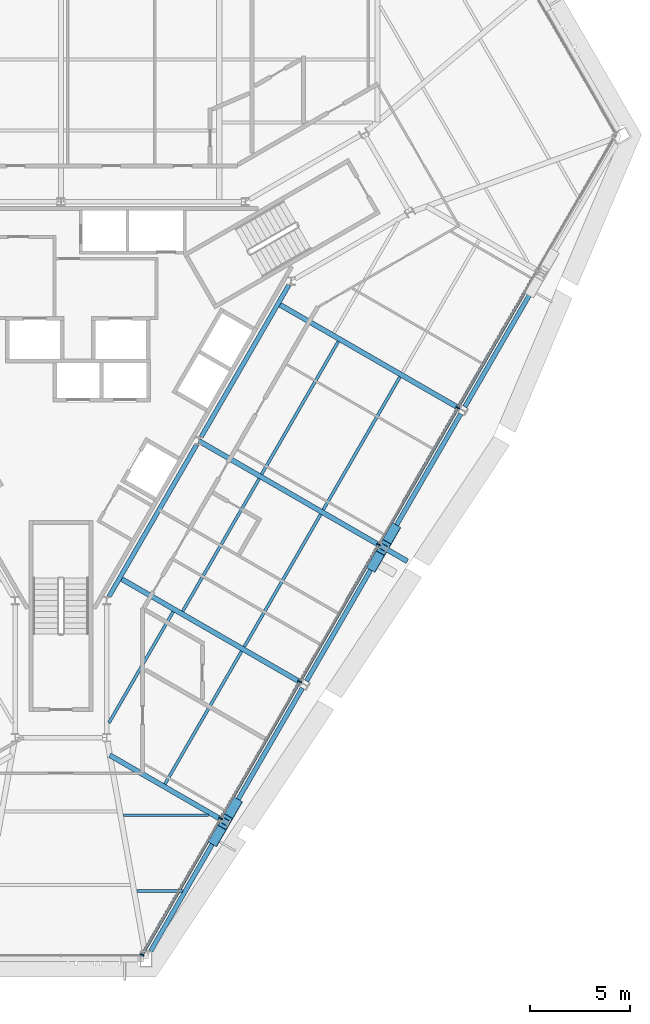
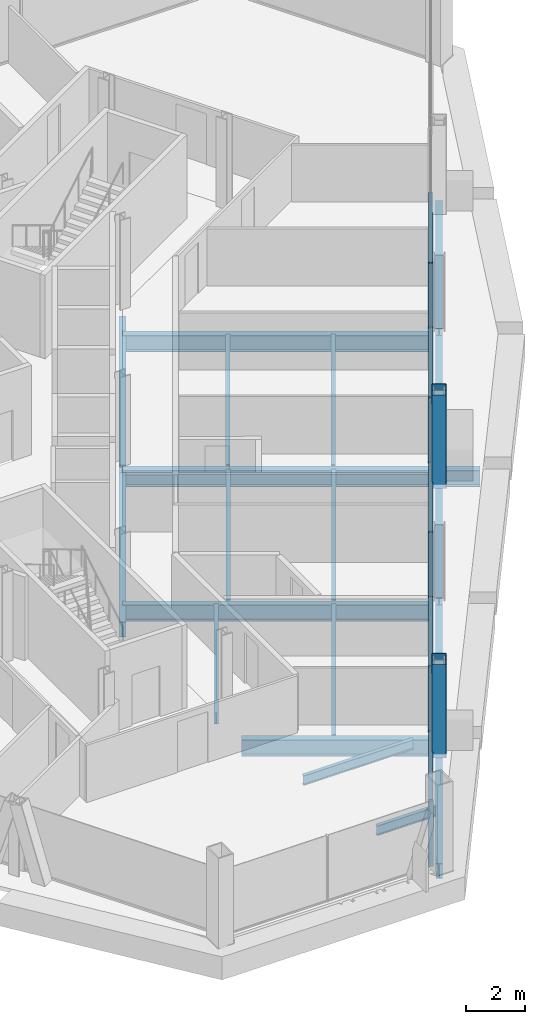
# One storey, part 5 of 14: 20 beams, 14 members, 1 element without a shape of its own.
"""IFC4 building model written with IfcOpenShell, lengths in metres."""

import ifcopenshell
import ifcopenshell.guid

model = None  # the IFC model being written
_history = None  # IfcOwnerHistory: only IFC2X3 demands one
_inside = {}  # id of a spatial element -> (the spatial element, [elements in it])
_under = {}  # id of a project, library or spatial element -> (it, [spatial elements below it])
_declared = {}  # id of a project -> (the project, [libraries it declares])
_typed = {}  # id of a type object -> (the type object, [elements of that type])
_made_of = {}  # id of a material, layer set ... -> (it, [elements and type objects made of it])


def new_model(schema):
    """Start an empty IFC model of exactly this schema.

    Asked for "IFC4X3", IfcOpenShell would pick the latest addendum, in which some entities
    have other attributes; the version numbers below select the first issue.
    IFC2X3 requires an IfcOwnerHistory on every rooted entity: one is made here for all.
    """
    global model, _history
    if schema == "IFC4X3":
        model = ifcopenshell.file(schema_version=(4, 3, 0, 0))
    else:
        model = ifcopenshell.file(schema=schema)
    _inside.clear()
    _under.clear()
    _declared.clear()
    _typed.clear()
    _made_of.clear()
    _history = None
    if model.schema == "IFC2X3":
        org = make("IfcOrganization", Name="unknown")
        user = make(
            "IfcPersonAndOrganization",
            ThePerson=make("IfcPerson", FamilyName="unknown"),
            TheOrganization=org,
        )
        app = make(
            "IfcApplication",
            ApplicationDeveloper=org,
            Version="unknown",
            ApplicationFullName="unknown",
            ApplicationIdentifier="unknown",
        )
        _history = make(
            "IfcOwnerHistory",
            OwningUser=user,
            OwningApplication=app,
            ChangeAction="ADDED",
            CreationDate=0,
        )
    return model


def make(cls, **values):
    """One entity of the class cls with the attributes given. An attribute that is None is left unset."""
    return model.create_entity(
        cls, **{name: value for name, value in values.items() if value is not None}
    )


def rooted(cls, **values):
    """An entity with a GlobalId (a new one), such as an element, a storey or a relation."""
    return make(cls, GlobalId=ifcopenshell.guid.new(), OwnerHistory=_history, **values)


def si_unit(unit_type, name, prefix=None):
    """IfcSIUnit, for example si_unit("LENGTHUNIT", "METRE", prefix="MILLI")."""
    return make("IfcSIUnit", UnitType=unit_type, Prefix=prefix, Name=name)


def assignment(units):
    """IfcUnitAssignment: the units of a project."""
    return None if units is None else make("IfcUnitAssignment", Units=units)


def point(xyz):
    """IfcCartesianPoint."""
    return None if xyz is None else make("IfcCartesianPoint", Coordinates=xyz)


def direction(xyz):
    """IfcDirection."""
    return None if xyz is None else make("IfcDirection", DirectionRatios=xyz)


def frame(location, z_axis=None, x_axis=None):
    """IfcAxis2Placement3D, a coordinate frame: its origin and axes. An axis left out is left unset."""
    return make(
        "IfcAxis2Placement3D",
        Location=point(location),
        Axis=direction(z_axis),
        RefDirection=direction(x_axis),
    )


def frame_2d(location, x_axis=None):
    """IfcAxis2Placement2D, a coordinate frame in the plane: its origin and x axis."""
    return make(
        "IfcAxis2Placement2D", Location=point(location), RefDirection=direction(x_axis)
    )


def origin():
    """The frame at (0, 0, 0) with its axes left unset."""
    return frame((0.0, 0.0, 0.0))


def origin_2d():
    """The frame at (0, 0) in the plane with its x axis left unset."""
    return frame_2d((0.0, 0.0))


def place(relative_to, where):
    """IfcLocalPlacement: puts the frame where relative to a parent placement (None: the world)."""
    return make(
        "IfcLocalPlacement", PlacementRelTo=relative_to, RelativePlacement=where
    )


def context(
    kind, dimensions, precision=None, world=None, true_north=None, identifier=None
):
    """IfcGeometricRepresentationContext, for example the 3D "Model" context."""
    return make(
        "IfcGeometricRepresentationContext",
        ContextIdentifier=identifier,
        ContextType=kind,
        CoordinateSpaceDimension=dimensions,
        Precision=precision,
        WorldCoordinateSystem=world,
        TrueNorth=true_north,
    )


def subcontext(parent, identifier, kind, view, scale=None):
    """IfcGeometricRepresentationSubContext, for example "Body" below "Model"."""
    return make(
        "IfcGeometricRepresentationSubContext",
        ContextIdentifier=identifier,
        ContextType=kind,
        ParentContext=parent,
        TargetScale=scale,
        TargetView=view,
    )


def project(units=None, contexts=None):
    """IfcProject with its units and contexts."""
    return rooted(
        "IfcProject",
        Name="project",
        RepresentationContexts=contexts,
        UnitsInContext=assignment(units),
    )


def spatial(cls, under=None, at=None, **own):
    """A site, building, storey or space (cls), placed at a placement, below another one or the project."""
    s = rooted(cls, ObjectPlacement=at, **own)
    if under is not None:
        _under.setdefault(under.id(), (under, []))[1].append(s)
    return s


def profile(cls, at=None, kind="AREA", **sizes):
    """A parametric profile (cls). Its sizes go by their IFC names, for example OverallWidth=200.0."""
    return make(cls, ProfileType=kind, Position=at, **sizes)


def rectangle(**sizes):
    """IfcRectangleProfileDef."""
    return profile("IfcRectangleProfileDef", **sizes)


def hollow_rectangle(**sizes):
    """IfcRectangleHollowProfileDef."""
    return profile("IfcRectangleHollowProfileDef", **sizes)


def i_section(**sizes):
    """IfcIShapeProfileDef."""
    return profile("IfcIShapeProfileDef", **sizes)


def extrude(swept, where, along, depth):
    """IfcExtrudedAreaSolid: the profile swept, set in the frame where, extruded along a direction by depth."""
    return make(
        "IfcExtrudedAreaSolid",
        SweptArea=swept,
        Position=where,
        ExtrudedDirection=direction(along),
        Depth=depth,
    )


def shape(context_of_items, identifier, shape_type, items):
    """IfcShapeRepresentation: the items that make up one representation, for example the "Body"."""
    return make(
        "IfcShapeRepresentation",
        ContextOfItems=context_of_items,
        RepresentationIdentifier=identifier,
        RepresentationType=shape_type,
        Items=items,
    )


def material(Name=None, Category=None):
    """IfcMaterial."""
    return make("IfcMaterial", Name=Name, Category=Category)


def material_profile(
    of_material, cross_section, Name=None, Category=None, Priority=None
):
    """IfcMaterialProfile: a cross section and its material."""
    return make(
        "IfcMaterialProfile",
        Name=Name,
        Material=of_material,
        Profile=cross_section,
        Priority=Priority,
        Category=Category,
    )


def profile_set(profiles, Name=None, composite=None):
    """IfcMaterialProfileSet."""
    return make(
        "IfcMaterialProfileSet",
        Name=Name,
        MaterialProfiles=profiles,
        CompositeProfile=composite,
    )


def made_of(thing, what):
    """Note that an element or type object is made of a material, layer set ...; save() writes the relation."""
    if what is not None:
        _made_of.setdefault(what.id(), (what, []))[1].append(thing)
    return thing


def type_object(cls, material=None, **own):
    """A type object (cls), such as IfcWallType, which elements share."""
    return made_of(rooted(cls, **own), material)


def element(
    cls,
    number,
    at=None,
    inside=None,
    cuts=None,
    type_object=None,
    material=None,
    context=None,
    identifier="Body",
    shape_type=None,
    held_by="IfcProductDefinitionShape",
    body=None,
    shapes=None,
    **own,
):
    """One element of the class cls, such as IfcWall. Its Tag is "e" and its number.

    at: its placement. inside: the storey or other place that contains it. cuts: it is an
    opening in that element (IfcRelVoidsElement). A single representation is given by context,
    identifier, shape_type and body (its items); several are given by shapes. held_by: the class
    of the entity that holds the representations. save() writes the other relations.
    """
    e = rooted(cls, Tag="e%d" % number, ObjectPlacement=at, **own)
    if body is not None:
        shapes = [shape(context, identifier, shape_type, body)]
    if shapes is not None:
        e.Representation = make(held_by, Representations=shapes)
    if inside is not None:
        _inside.setdefault(inside.id(), (inside, []))[1].append(e)
    if cuts is not None:
        rooted(
            "IfcRelVoidsElement", RelatingBuildingElement=cuts, RelatedOpeningElement=e
        )
    if type_object is not None:
        _typed.setdefault(type_object.id(), (type_object, []))[1].append(e)
    return made_of(e, material)


def aggregate(whole, parts):
    """IfcRelAggregates: a whole, such as a stair, and the parts it consists of."""
    return rooted("IfcRelAggregates", RelatingObject=whole, RelatedObjects=parts)


def save(model, path):
    """Write the relations noted so far, then the file.

    IfcRelAggregates (storeys below a building ...), IfcRelContainedInSpatialStructure (elements
    in a storey), IfcRelDefinesByType, IfcRelAssociatesMaterial and IfcRelDeclares: one each for
    every whole, place, type object, material and project.
    """
    for whole, parts in _under.values():
        aggregate(whole, parts)
    for where, things in _inside.values():
        rooted(
            "IfcRelContainedInSpatialStructure",
            RelatedElements=things,
            RelatingStructure=where,
        )
    for kind, things in _typed.values():
        rooted("IfcRelDefinesByType", RelatedObjects=things, RelatingType=kind)
    for what, things in _made_of.values():
        rooted("IfcRelAssociatesMaterial", RelatedObjects=things, RelatingMaterial=what)
    for by, libraries in _declared.values():
        rooted("IfcRelDeclares", RelatingContext=by, RelatedDefinitions=libraries)
    model.write(path)


model = new_model("IFC4")

# Units and contexts
model_context = context("Model", 3, precision=1e-05, world=origin(), true_north=direction((0.0, 1.0)))
body_context = subcontext(model_context, "Body", "Model", "MODEL_VIEW")
ifc_project = project(units=[si_unit("LENGTHUNIT", "METRE"), si_unit("AREAUNIT", "SQUARE_METRE"), si_unit("VOLUMEUNIT", "CUBIC_METRE"), si_unit("PLANEANGLEUNIT", "RADIAN"), si_unit("MASSUNIT", "GRAM", prefix="KILO")], contexts=[model_context])

# Site, building, storey
site_placement = place(None, origin())
site = spatial("IfcSite", under=ifc_project, at=site_placement, CompositionType="ELEMENT")
building_placement = place(site_placement, origin())
building = spatial("IfcBuilding", under=site, at=building_placement, Name="Verrane Prism Tower", CompositionType="ELEMENT")
storey_placement = place(building_placement, frame((0.0, 0.0, 196.89990234375)))
storey = spatial("IfcBuildingStorey", under=building, at=storey_placement, Name="L49", CompositionType="ELEMENT", Elevation=196.89990234375)

# Beams
ifc_material_1 = material(Name="Steel A992", Category="steel")
ifc_material_profile_1 = material_profile(ifc_material_1, i_section(OverallWidth=0.23046875, OverallDepth=0.6171875, WebThickness=0.01318359375, FlangeThickness=0.022216796875, FilletRadius=0.012939453125, at=origin_2d()), Name="W24x94")
ifc_profile_set_1 = profile_set([ifc_material_profile_1], Name="Steel A992")
beam_type_1 = type_object("IfcBeamType", Name="Core ring girder W24x94", PredefinedType="BEAM", material=ifc_profile_set_1)
beam_1_placement = place(storey_placement, frame((2.4150390625, -11.820556640625, -0.55859375), z_axis=(0.499988222896, 0.866032203192, 0.0), x_axis=(-0.866032203192, 0.499988222896, 0.0)))
element("IfcBeam", 1, at=beam_1_placement, inside=storey, type_object=beam_type_1, Name="Core ring girder L49", PredefinedType="BEAM", context=body_context, shape_type="SweptSolid", body=[
    extrude(i_section(OverallWidth=0.23046875, OverallDepth=0.6171875, WebThickness=0.01318359375, FlangeThickness=0.022216796875, FilletRadius=0.012939453125, at=origin_2d()), origin(), (0.0, 0.0, 1.0), 8.800048828125),
])
beam_2_placement = place(storey_placement, frame((7.045166015625, -3.800537109375, -0.55859375), z_axis=(0.499967414725, 0.866044216084, 0.0), x_axis=(-0.866044216084, 0.499967414725, 0.0)))
element("IfcBeam", 2, at=beam_2_placement, inside=storey, type_object=beam_type_1, Name="Core ring girder L49", PredefinedType="BEAM", context=body_context, shape_type="SweptSolid", body=[
    extrude(i_section(OverallWidth=0.23046875, OverallDepth=0.6171875, WebThickness=0.01318359375, FlangeThickness=0.022216796875, FilletRadius=0.012939453125, at=origin_2d()), origin(), (0.0, 0.0, 1.0), 8.7998046875),
])

# Members
ifc_material_2 = material(Name="Steel A500 Grade C", Category="steel")
ifc_material_profile_2 = material_profile(ifc_material_2, hollow_rectangle(XDim=0.508056640625, YDim=0.508056640625, WallThickness=0.01904296875, InnerFilletRadius=0.009521484375, OuterFilletRadius=0.028564453125, at=origin_2d()), Name="HSS20x20x3/4")
ifc_profile_set_2 = profile_set([ifc_material_profile_2], Name="Steel A500 Grade C")
member_type_1 = type_object("IfcMemberType", Name="Facade brace HSS20x20x3/4", PredefinedType="BRACE", material=ifc_profile_set_2)
member_1_placement = place(storey_placement, frame((7.72119140625, -24.048095703125, -0.216552734375), z_axis=(0.145222569285, 0.251900220028, 0.95679500653), x_axis=(-0.866341082047, 0.499452830163, 0.0)))
element("IfcMember", 3, at=member_1_placement, inside=storey, type_object=member_type_1, Name="Facade brace SE0 L49", PredefinedType="BRACE", context=body_context, shape_type="SweptSolid", body=[
    extrude(hollow_rectangle(XDim=0.508056640625, YDim=0.508056640625, WallThickness=0.01904296875, InnerFilletRadius=0.009521484375, OuterFilletRadius=0.028564453125, at=origin_2d()), origin(), (0.0, 0.0, 1.0), 3.3251953125),
])
member_2_placement = place(storey_placement, frame((8.780517578125, -22.2119140625, -0.216552734375), z_axis=(-0.145105624337, -0.251217783834, 0.956992154028), x_axis=(0.865928416946, -0.500167948519, 0.0)))
element("IfcMember", 4, at=member_2_placement, inside=storey, type_object=member_type_1, Name="Facade brace SE1 L49", PredefinedType="BRACE", context=body_context, shape_type="SweptSolid", body=[
    extrude(hollow_rectangle(XDim=0.508056640625, YDim=0.508056640625, WallThickness=0.01904296875, InnerFilletRadius=0.009521484375, OuterFilletRadius=0.028564453125, at=origin_2d()), origin(), (0.0, 0.0, 1.0), 3.32470703125),
])
member_3_placement = place(storey_placement, frame((15.671142578125, -10.2763671875, -0.216552734375), z_axis=(0.145778572532, 0.252359885381, 0.956589303746), x_axis=(-0.865908710228, 0.500202064721, 0.0)))
element("IfcMember", 5, at=member_3_placement, inside=storey, type_object=member_type_1, Name="Facade brace SE2 L49", PredefinedType="BRACE", context=body_context, shape_type="SweptSolid", body=[
    extrude(hollow_rectangle(XDim=0.508056640625, YDim=0.508056640625, WallThickness=0.01904296875, InnerFilletRadius=0.009521484375, OuterFilletRadius=0.028564453125, at=origin_2d()), origin(), (0.0, 0.0, 1.0), 3.325927734375),
])
member_4_placement = place(storey_placement, frame((16.73046875, -8.441650390625, -0.216552734375), z_axis=(-0.144493138728, -0.250347034462, 0.957312955724), x_axis=(0.866092491567, -0.499883782545, 0.0)))
element("IfcMember", 6, at=member_4_placement, inside=storey, type_object=member_type_1, Name="Facade brace SE3 L49", PredefinedType="BRACE", context=body_context, shape_type="SweptSolid", body=[
    extrude(hollow_rectangle(XDim=0.508056640625, YDim=0.508056640625, WallThickness=0.01904296875, InnerFilletRadius=0.009521484375, OuterFilletRadius=0.028564453125, at=origin_2d()), origin(), (0.0, 0.0, 1.0), 3.323486328125),
])

# Beams
ifc_material_3 = material(Name="Steel A992", Category="steel")
ifc_material_profile_3 = material_profile(ifc_material_3, i_section(OverallWidth=0.140380859375, OverallDepth=0.40380859375, WebThickness=0.007080078125, FlangeThickness=0.01123046875, FilletRadius=0.01025390625, at=origin_2d()), Name="W16x31")
ifc_profile_set_3 = profile_set([ifc_material_profile_3], Name="Steel A992")
beam_type_2 = type_object("IfcBeamType", Name="Floor beam W16x31", PredefinedType="BEAM", material=ifc_profile_set_3)
beam_3_placement = place(storey_placement, frame((3.808837890625, -26.603271484375, -0.36181640625), z_axis=(1.0, 0.0, 0.0), x_axis=(0.0, 1.0, 0.0)))
element("IfcBeam", 7, at=beam_3_placement, inside=storey, type_object=beam_type_2, Name="Floor beam L49", PredefinedType="BEAM", context=body_context, shape_type="SweptSolid", body=[
    extrude(i_section(OverallWidth=0.140380859375, OverallDepth=0.40380859375, WebThickness=0.007080078125, FlangeThickness=0.01123046875, FilletRadius=0.01025390625, at=origin_2d()), origin(), (0.0, 0.0, 1.0), 2.30419921875),
])
beam_4_placement = place(storey_placement, frame((3.131103515625, -22.796630859375, -0.36181640625), z_axis=(1.0, 0.0, 0.0), x_axis=(0.0, 1.0, 0.0)))
element("IfcBeam", 8, at=beam_4_placement, inside=storey, type_object=beam_type_2, Name="Floor beam L49", PredefinedType="BEAM", context=body_context, shape_type="SweptSolid", body=[
    extrude(i_section(OverallWidth=0.140380859375, OverallDepth=0.40380859375, WebThickness=0.007080078125, FlangeThickness=0.01123046875, FilletRadius=0.01025390625, at=origin_2d()), origin(), (0.0, 0.0, 1.0), 4.287109375),
])
ifc_material_4 = material(Name="Steel A992", Category="steel")
ifc_material_profile_4 = material_profile(ifc_material_4, i_section(OverallWidth=0.15234375, OverallDepth=0.449462890625, WebThickness=0.007568359375, FlangeThickness=0.0107421875, FilletRadius=0.01025390625, at=origin_2d()), Name="W18x35")
ifc_profile_set_4 = profile_set([ifc_material_profile_4], Name="Steel A992")
beam_type_3 = type_object("IfcBeamType", Name="Floor beam W18x35", PredefinedType="BEAM", material=ifc_profile_set_4)
beam_5_placement = place(storey_placement, frame((5.222900390625, -21.237060546875, -0.384765625), z_axis=(0.500007761655, 0.866020922544, 0.0), x_axis=(-0.866020922544, 0.500007761655, 0.0)))
element("IfcBeam", 9, at=beam_5_placement, inside=storey, type_object=beam_type_3, Name="Floor beam L49", PredefinedType="BEAM", context=body_context, shape_type="SweptSolid", body=[
    extrude(i_section(OverallWidth=0.15234375, OverallDepth=0.449462890625, WebThickness=0.007568359375, FlangeThickness=0.0107421875, FilletRadius=0.01025390625, at=origin_2d()), origin(), (0.0, 0.0, 1.0), 7.70361328125),
])
beam_6_placement = place(storey_placement, frame((2.4150390625, -18.16064453125, -0.384765625), z_axis=(0.499994722028, 0.866028451001, 0.0), x_axis=(-0.866028451001, 0.499994722028, 0.0)))
element("IfcBeam", 10, at=beam_6_placement, inside=storey, type_object=beam_type_3, Name="Floor beam L49", PredefinedType="BEAM", context=body_context, shape_type="SweptSolid", body=[
    extrude(i_section(OverallWidth=0.15234375, OverallDepth=0.449462890625, WebThickness=0.007568359375, FlangeThickness=0.0107421875, FilletRadius=0.01025390625, at=origin_2d()), origin(), (0.0, 0.0, 1.0), 6.4423828125),
])
for number, where, z_axis, x_axis, name in (
    (11, (9.202880859375, -14.346435546875, -0.384765625), (0.500004621041, 0.866022735809, 0.0), (-0.866022735809, 0.500004621041, 0.0), "Floor beam L49"),
    (12, (6.1123046875, -12.562744140625, -0.384765625), (0.500004621041, 0.866022735809, 0.0), (-0.866022735809, 0.500004621041, 0.0), "Floor beam L49"),
):
    element("IfcBeam", number, at=place(storey_placement, frame(where, z_axis=z_axis, x_axis=x_axis)), inside=storey, type_object=beam_type_3, Name=name, PredefinedType="BEAM", context=body_context, shape_type="SweptSolid", body=[
        extrude(i_section(OverallWidth=0.15234375, OverallDepth=0.449462890625, WebThickness=0.007568359375, FlangeThickness=0.0107421875, FilletRadius=0.01025390625, at=origin_2d()), origin(), (0.0, 0.0, 1.0), 7.689453125),
    ])
beam_7_placement = place(storey_placement, frame((13.171142578125, -7.46533203125, -0.384765625), z_axis=(0.499990362368, 0.866030968003, 0.0), x_axis=(-0.866030968003, 0.499990362368, 0.0)))
element("IfcBeam", 13, at=beam_7_placement, inside=storey, type_object=beam_type_3, Name="Floor beam L49", PredefinedType="BEAM", context=body_context, shape_type="SweptSolid", body=[
    extrude(i_section(OverallWidth=0.15234375, OverallDepth=0.449462890625, WebThickness=0.007568359375, FlangeThickness=0.0107421875, FilletRadius=0.01025390625, at=origin_2d()), origin(), (0.0, 0.0, 1.0), 7.704345703125),
])
beam_8_placement = place(storey_placement, frame((10.0771484375, -5.6796875, -0.384765625), z_axis=(0.499983011228, 0.866035212034, 0.0), x_axis=(-0.866035212034, 0.499983011228, 0.0)))
element("IfcBeam", 14, at=beam_8_placement, inside=storey, type_object=beam_type_3, Name="Floor beam L49", PredefinedType="BEAM", context=body_context, shape_type="SweptSolid", body=[
    extrude(i_section(OverallWidth=0.15234375, OverallDepth=0.449462890625, WebThickness=0.007568359375, FlangeThickness=0.0107421875, FilletRadius=0.01025390625, at=origin_2d()), origin(), (0.0, 0.0, 1.0), 7.705322265625),
])

# Curtain wall, members
ifc_material_5 = material(Name="Aluminium framed insulated glazing", Category="aluminium")
curtain_wall_type = type_object("IfcCurtainWallType", Name="Curtain wall CW-A 8400 module", PredefinedType="NOTDEFINED", material=ifc_material_5)
curtain_wall_placement = place(storey_placement, origin())
curtain_wall = element("IfcCurtainWall", 15, at=curtain_wall_placement, inside=storey, type_object=curtain_wall_type, Name="Glazed curtain wall south-east face L49", PredefinedType="NOTDEFINED")
ifc_material_6 = material(Name="Aluminium alloy 6063-T6", Category="aluminium")
ifc_material_profile_5 = material_profile(ifc_material_6, rectangle(XDim=0.199951171875, YDim=0.070068359375, at=origin_2d()), Name="Mullion 70x200 aluminium")
ifc_profile_set_5 = profile_set([ifc_material_profile_5], Name="Aluminium alloy 6063-T6")
member_type_2 = type_object("IfcMemberType", Name="Mullion 70x200 aluminium", PredefinedType="MULLION", material=ifc_profile_set_5)
member_5_placement = place(storey_placement, frame((4.07275390625, -29.807861328125, 0.0), z_axis=(0.0, 0.0, 1.0), x_axis=(-0.866025652206, 0.499999569721, 0.0)))
member_5 = element("IfcMember", 16, at=member_5_placement, type_object=member_type_2, Name="CW47.6 mullion 1", PredefinedType="MULLION", context=body_context, shape_type="SweptSolid", body=[
    extrude(rectangle(XDim=0.199951171875, YDim=0.070068359375, at=origin_2d()), origin(), (0.0, 0.0, 1.0), 2.712890625),
])
member_6_placement = place(storey_placement, frame((8.024169921875, -22.9638671875, 0.0), z_axis=(0.0, 0.0, 1.0), x_axis=(-0.866025652206, 0.499999569721, 0.0)))
member_6 = element("IfcMember", 17, at=member_6_placement, type_object=member_type_2, Name="CW47.6 mullion 2", PredefinedType="MULLION", context=body_context, shape_type="SweptSolid", body=[
    extrude(rectangle(XDim=0.199951171875, YDim=0.070068359375, at=origin_2d()), origin(), (0.0, 0.0, 1.0), 2.712890625),
])
member_7_placement = place(storey_placement, frame((11.992919921875, -16.089599609375, 0.0), z_axis=(0.0, 0.0, 1.0), x_axis=(-0.866025652206, 0.499999569721, 0.0)))
member_7 = element("IfcMember", 18, at=member_7_placement, type_object=member_type_2, Name="CW47.6 mullion 3", PredefinedType="MULLION", context=body_context, shape_type="SweptSolid", body=[
    extrude(rectangle(XDim=0.199951171875, YDim=0.070068359375, at=origin_2d()), origin(), (0.0, 0.0, 1.0), 2.712890625),
])
member_8_placement = place(storey_placement, frame((15.961669921875, -9.215576171875, 0.0), z_axis=(0.0, 0.0, 1.0), x_axis=(-0.866025652206, 0.499999569721, 0.0)))
member_8 = element("IfcMember", 19, at=member_8_placement, type_object=member_type_2, Name="CW47.6 mullion 4", PredefinedType="MULLION", context=body_context, shape_type="SweptSolid", body=[
    extrude(rectangle(XDim=0.199951171875, YDim=0.070068359375, at=origin_2d()), origin(), (0.0, 0.0, 1.0), 2.712890625),
])
member_9_placement = place(storey_placement, frame((19.9306640625, -2.34130859375, 0.0), z_axis=(0.0, 0.0, 1.0), x_axis=(-0.866025652206, 0.499999569721, 0.0)))
member_9 = element("IfcMember", 20, at=member_9_placement, type_object=member_type_2, Name="CW47.6 mullion 5", PredefinedType="MULLION", context=body_context, shape_type="SweptSolid", body=[
    extrude(rectangle(XDim=0.199951171875, YDim=0.070068359375, at=origin_2d()), origin(), (0.0, 0.0, 1.0), 2.712890625),
])

# Beams
ifc_material_7 = material(Name="Steel A992", Category="steel")
ifc_material_profile_6 = material_profile(ifc_material_7, i_section(OverallWidth=0.25390625, OverallDepth=0.683349609375, WebThickness=0.012451171875, FlangeThickness=0.01904296875, FilletRadius=0.01513671875, at=origin_2d()), Name="W27x94")
ifc_profile_set_6 = profile_set([ifc_material_profile_6], Name="Steel A992")
beam_type_4 = type_object("IfcBeamType", Name="Radial girder W27x94", PredefinedType="BEAM", material=ifc_profile_set_6)
beam_9_placement = place(storey_placement, frame((8.069580078125, -23.02587890625, -0.5615234375), z_axis=(-0.866024967991, 0.500000754816, 0.0), x_axis=(-0.500000754816, -0.866024967991, 0.0)))
element("IfcBeam", 21, at=beam_9_placement, inside=storey, type_object=beam_type_4, Name="Radial girder L49", PredefinedType="BEAM", context=body_context, shape_type="SweptSolid", body=[
    extrude(i_section(OverallWidth=0.25390625, OverallDepth=0.683349609375, WebThickness=0.012451171875, FlangeThickness=0.01904296875, FilletRadius=0.01513671875, at=origin_2d()), origin(), (0.0, 0.0, 1.0), 6.47998046875),
])
beam_10_placement = place(storey_placement, frame((12.049560546875, -16.135986328125, -0.5615234375), z_axis=(-0.866024144196, 0.500002181665, 0.0), x_axis=(-0.500002181665, -0.866024144196, 0.0)))
element("IfcBeam", 22, at=beam_10_placement, inside=storey, type_object=beam_type_4, Name="Radial girder L49", PredefinedType="BEAM", context=body_context, shape_type="SweptSolid", body=[
    extrude(i_section(OverallWidth=0.25390625, OverallDepth=0.683349609375, WebThickness=0.012451171875, FlangeThickness=0.01904296875, FilletRadius=0.01513671875, at=origin_2d()), origin(), (0.0, 0.0, 1.0), 10.50146484375),
])
beam_11_placement = place(storey_placement, frame((16.01953125, -9.255859375, -0.5615234375), z_axis=(-0.866029539658, 0.499992836388, 0.0), x_axis=(-0.499992836388, -0.866029539658, 0.0)))
element("IfcBeam", 23, at=beam_11_placement, inside=storey, type_object=beam_type_4, Name="Radial girder L49", PredefinedType="BEAM", context=body_context, shape_type="SweptSolid", body=[
    extrude(i_section(OverallWidth=0.25390625, OverallDepth=0.683349609375, WebThickness=0.012451171875, FlangeThickness=0.01904296875, FilletRadius=0.01513671875, at=origin_2d()), origin(), (0.0, 0.0, 1.0), 10.499755859375),
])
beam_12_placement = place(storey_placement, frame((19.99951171875, -2.365966796875, -0.5615234375), z_axis=(-0.866019889578, 0.500009550764, 0.0), x_axis=(-0.500009550764, -0.866019889578, 0.0)))
element("IfcBeam", 24, at=beam_12_placement, inside=storey, type_object=beam_type_4, Name="Radial girder L49", PredefinedType="BEAM", context=body_context, shape_type="SweptSolid", body=[
    extrude(i_section(OverallWidth=0.25390625, OverallDepth=0.683349609375, WebThickness=0.012451171875, FlangeThickness=0.01904296875, FilletRadius=0.01513671875, at=origin_2d()), origin(), (0.0, 0.0, 1.0), 10.501708984375),
])
beam_13_placement = place(storey_placement, frame((16.376953125, -9.462158203125, -0.5615234375), z_axis=(0.865984991198, -0.500069990121, 0.0), x_axis=(0.500069990121, 0.865984991198, 0.0)))
element("IfcBeam", 25, at=beam_13_placement, inside=storey, type_object=beam_type_4, Name="Cantilever girder L49", PredefinedType="BEAM", context=body_context, shape_type="SweptSolid", body=[
    extrude(i_section(OverallWidth=0.25390625, OverallDepth=0.683349609375, WebThickness=0.012451171875, FlangeThickness=0.01904296875, FilletRadius=0.01513671875, at=origin_2d()), origin(), (0.0, 0.0, 1.0), 1.175537109375),
])
ifc_material_8 = material(Name="Steel A992", Category="steel")
ifc_material_profile_7 = material_profile(ifc_material_8, i_section(OverallWidth=0.23046875, OverallDepth=0.6171875, WebThickness=0.01318359375, FlangeThickness=0.022216796875, FilletRadius=0.012939453125, at=origin_2d()), Name="W24x94")
ifc_profile_set_7 = profile_set([ifc_material_profile_7], Name="Steel A992")
beam_type_5 = type_object("IfcBeamType", Name="Spandrel beam W24x94", PredefinedType="SPANDREL", material=ifc_profile_set_7)
beam_14_placement = place(storey_placement, frame((4.510498046875, -29.6201171875, -0.468505859375), z_axis=(0.499260257978, 0.866452072999, 0.0), x_axis=(-0.866452072999, 0.499260257978, 0.0)))
element("IfcBeam", 26, at=beam_14_placement, inside=storey, type_object=beam_type_5, Name="Spandrel beam L49", PredefinedType="SPANDREL", context=body_context, shape_type="SweptSolid", body=[
    extrude(i_section(OverallWidth=0.23046875, OverallDepth=0.6171875, WebThickness=0.01318359375, FlangeThickness=0.022216796875, FilletRadius=0.012939453125, at=origin_2d()), origin(), (0.0, 0.0, 1.0), 7.287109375),
])
beam_15_placement = place(storey_placement, frame((8.3515625, -22.9541015625, -0.468505859375), z_axis=(0.500207565094, 0.865905532852, 0.0), x_axis=(-0.865905532852, 0.500207565094, 0.0)))
element("IfcBeam", 27, at=beam_15_placement, inside=storey, type_object=beam_type_5, Name="Spandrel beam L49", PredefinedType="SPANDREL", context=body_context, shape_type="SweptSolid", body=[
    extrude(i_section(OverallWidth=0.23046875, OverallDepth=0.6171875, WebThickness=0.01318359375, FlangeThickness=0.022216796875, FilletRadius=0.012939453125, at=origin_2d()), origin(), (0.0, 0.0, 1.0), 7.550537109375),
])
beam_16_placement = place(storey_placement, frame((12.33154296875, -16.06396484375, -0.468505859375), z_axis=(0.499786949886, 0.866148373388, 0.0), x_axis=(-0.866148373388, 0.499786949886, 0.0)))
element("IfcBeam", 28, at=beam_16_placement, inside=storey, type_object=beam_type_5, Name="Spandrel beam L49", PredefinedType="SPANDREL", context=body_context, shape_type="SweptSolid", body=[
    extrude(i_section(OverallWidth=0.23046875, OverallDepth=0.6171875, WebThickness=0.01318359375, FlangeThickness=0.022216796875, FilletRadius=0.012939453125, at=origin_2d()), origin(), (0.0, 0.0, 1.0), 7.536865234375),
])
beam_17_placement = place(storey_placement, frame((16.301513671875, -9.18408203125, -0.468505859375), z_axis=(0.500207565094, 0.865905532852, 0.0), x_axis=(-0.865905532852, 0.500207565094, 0.0)))
element("IfcBeam", 29, at=beam_17_placement, inside=storey, type_object=beam_type_5, Name="Spandrel beam L49", PredefinedType="SPANDREL", context=body_context, shape_type="SweptSolid", body=[
    extrude(i_section(OverallWidth=0.23046875, OverallDepth=0.6171875, WebThickness=0.01318359375, FlangeThickness=0.022216796875, FilletRadius=0.012939453125, at=origin_2d()), origin(), (0.0, 0.0, 1.0), 7.550537109375),
])
beam_18_placement = place(storey_placement, frame((20.281494140625, -2.2939453125, -0.468505859375), z_axis=(0.500221570343, 0.865897442289, 0.0), x_axis=(-0.865897442289, 0.500221570343, 0.0)))
element("IfcBeam", 30, at=beam_18_placement, inside=storey, type_object=beam_type_5, Name="Spandrel beam L49", PredefinedType="SPANDREL", context=body_context, shape_type="SweptSolid", body=[
    extrude(i_section(OverallWidth=0.23046875, OverallDepth=0.6171875, WebThickness=0.01318359375, FlangeThickness=0.022216796875, FilletRadius=0.012939453125, at=origin_2d()), origin(), (0.0, 0.0, 1.0), 7.55029296875),
])

# Member
ifc_material_9 = material(Name="Aluminium alloy 6063-T6", Category="aluminium")
ifc_material_profile_8 = material_profile(ifc_material_9, rectangle(XDim=0.14990234375, YDim=0.070068359375, at=origin_2d()), Name="Transom 70x150 aluminium")
ifc_profile_set_8 = profile_set([ifc_material_profile_8], Name="Aluminium alloy 6063-T6")
member_type_3 = type_object("IfcMemberType", Name="Transom 70x150 aluminium", PredefinedType="USERDEFINED", material=ifc_profile_set_8)
member_10_placement = place(storey_placement, frame((4.09033203125, -29.777587890625, 0.03515625), z_axis=(0.499984168422, 0.866034543957, 0.0), x_axis=(-0.866034543957, 0.499984168422, 0.0)))
member_10 = element("IfcMember", 31, at=member_10_placement, type_object=member_type_3, Name="CW47.6 transom 1", ObjectType="TRANSOM", PredefinedType="USERDEFINED", context=body_context, shape_type="SweptSolid", body=[
    extrude(rectangle(XDim=0.14990234375, YDim=0.070068359375, at=origin_2d()), origin(), (0.0, 0.0, 1.0), 7.832763671875),
])

member_11_placement = place(storey_placement, frame((8.04150390625, -22.93359375, 0.03515625), z_axis=(0.50000718421, 0.866021255939, 0.0), x_axis=(-0.866021255939, 0.50000718421, 0.0)))
member_11 = element("IfcMember", 32, at=member_11_placement, type_object=member_type_3, Name="CW47.6 transom 2", ObjectType="TRANSOM", PredefinedType="USERDEFINED", context=body_context, shape_type="SweptSolid", body=[
    extrude(rectangle(XDim=0.14990234375, YDim=0.070068359375, at=origin_2d()), origin(), (0.0, 0.0, 1.0), 7.86767578125),
])

member_12_placement = place(storey_placement, frame((12.010498046875, -16.059326171875, 0.03515625), z_axis=(0.50000718421, 0.866021255939, 0.0), x_axis=(-0.866021255939, 0.50000718421, 0.0)))
member_12 = element("IfcMember", 33, at=member_12_placement, type_object=member_type_3, Name="CW47.6 transom 3", ObjectType="TRANSOM", PredefinedType="USERDEFINED", context=body_context, shape_type="SweptSolid", body=[
    extrude(rectangle(XDim=0.14990234375, YDim=0.070068359375, at=origin_2d()), origin(), (0.0, 0.0, 1.0), 7.86767578125),
])

member_13_placement = place(storey_placement, frame((15.979248046875, -9.185302734375, 0.03515625), z_axis=(0.49999374744, 0.866029013672, 0.0), x_axis=(-0.866029013672, 0.49999374744, 0.0)))
member_13 = element("IfcMember", 34, at=member_13_placement, type_object=member_type_3, Name="CW47.6 transom 4", ObjectType="TRANSOM", PredefinedType="USERDEFINED", context=body_context, shape_type="SweptSolid", body=[
    extrude(rectangle(XDim=0.14990234375, YDim=0.070068359375, at=origin_2d()), origin(), (0.0, 0.0, 1.0), 7.86767578125),
])

member_14_placement = place(storey_placement, frame((19.947998046875, -2.31103515625, 0.03515625), z_axis=(0.49999374744, 0.866029013672, 0.0), x_axis=(-0.866029013672, 0.49999374744, 0.0)))
member_14 = element("IfcMember", 35, at=member_14_placement, type_object=member_type_3, Name="CW47.6 transom 5", ObjectType="TRANSOM", PredefinedType="USERDEFINED", context=body_context, shape_type="SweptSolid", body=[
    extrude(rectangle(XDim=0.14990234375, YDim=0.070068359375, at=origin_2d()), origin(), (0.0, 0.0, 1.0), 7.86767578125),
])

aggregate(curtain_wall, [member_5, member_6, member_7, member_8, member_9, member_10, member_11, member_12, member_13, member_14])

save(model, "model.ifc")
